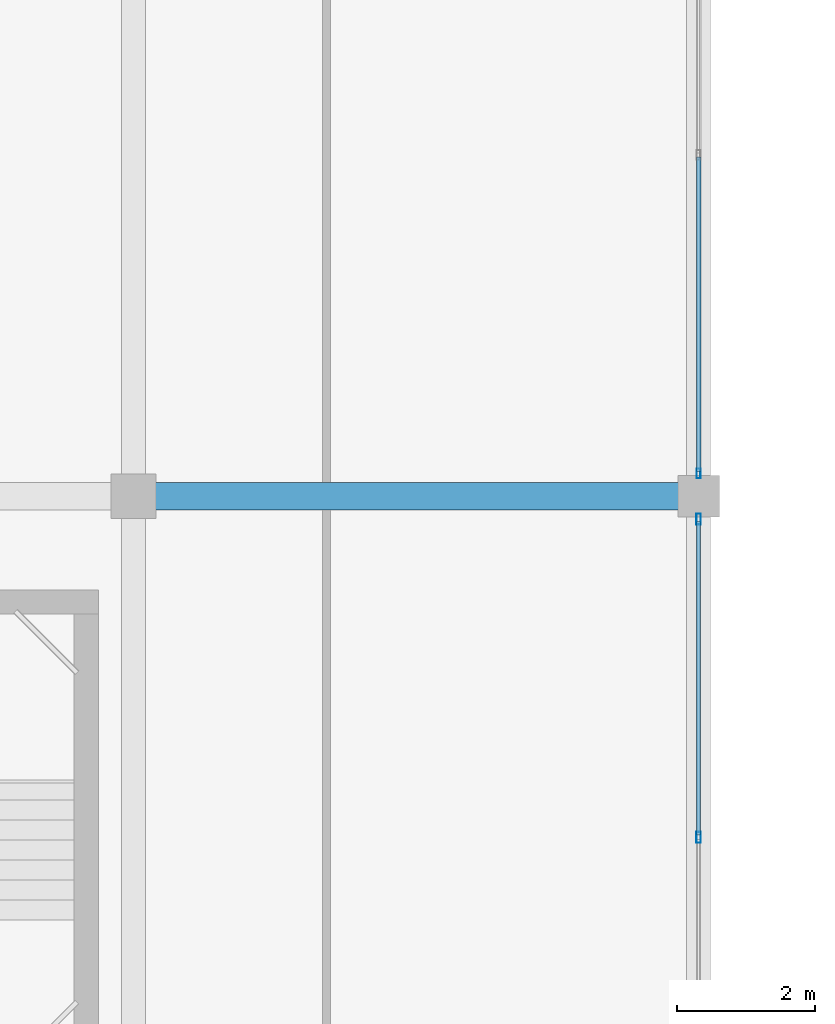
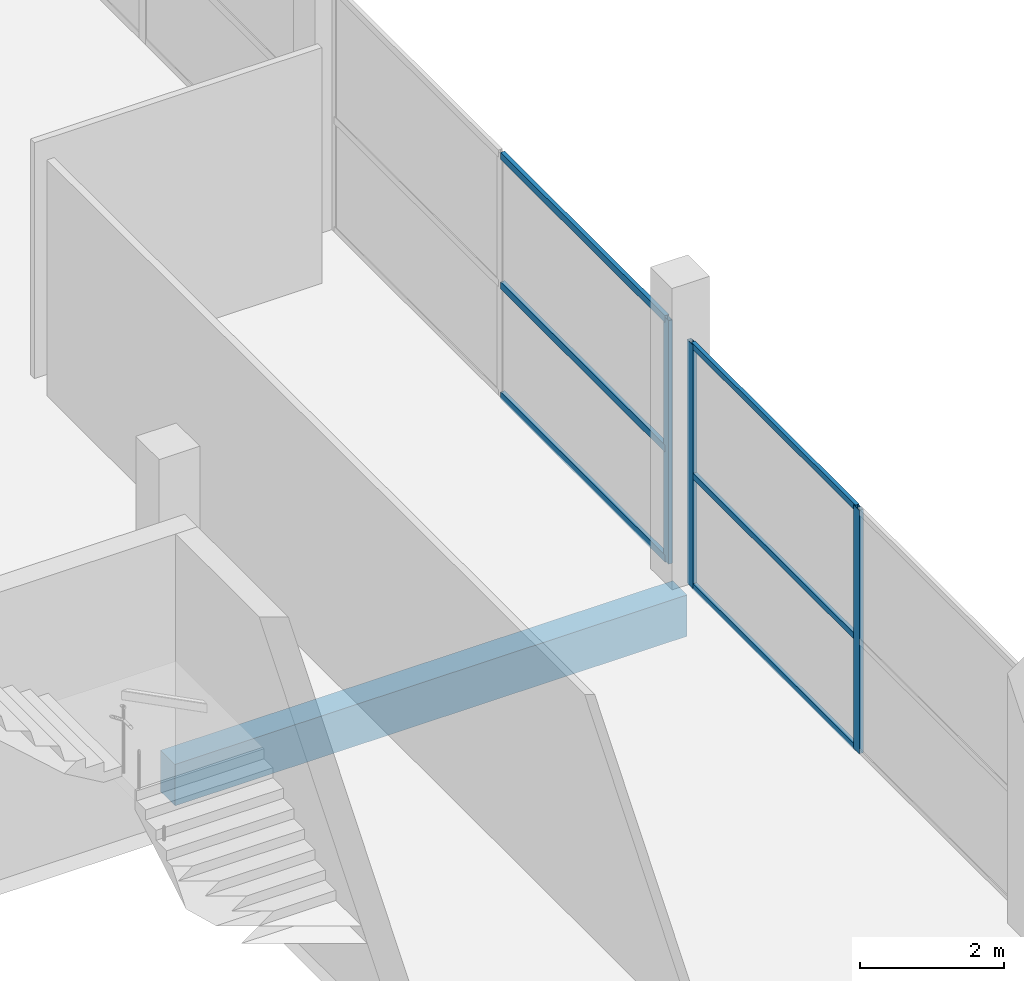
# One storey, part 33 of 66: 9 members, 1 beam, 2 elements without a shape of their own.
"""IFC4 building model written with IfcOpenShell, lengths in metres."""

from ifc_helpers import new_model, si_unit, direction, frame, origin, origin_2d, place, context, subcontext, project, spatial, rectangle, hollow_rectangle, extrude, material, layer, layer_set, material_profile, profile_set, type_object, element, aggregate, save


model = new_model("IFC4")

# Units and contexts
model_context = context("Model", 3, precision=1e-05, world=origin(), true_north=direction((0.0, 1.0)))
body_context = subcontext(model_context, "Body", "Model", "MODEL_VIEW")
ifc_project = project(units=[si_unit("LENGTHUNIT", "METRE"), si_unit("AREAUNIT", "SQUARE_METRE"), si_unit("VOLUMEUNIT", "CUBIC_METRE"), si_unit("PLANEANGLEUNIT", "RADIAN"), si_unit("MASSUNIT", "GRAM", prefix="KILO")], contexts=[model_context])

# Site, building, storey
site_placement = place(None, origin())
site = spatial("IfcSite", under=ifc_project, at=site_placement, CompositionType="ELEMENT")
building_placement = place(site_placement, origin())
building = spatial("IfcBuilding", under=site, at=building_placement, Name="Sillaruma Civic Art Gallery", CompositionType="ELEMENT")
storey_placement = place(building_placement, frame((0.0, 0.0, 57.1201171875)))
storey = spatial("IfcBuildingStorey", under=building, at=storey_placement, Name="L11", CompositionType="ELEMENT", Elevation=57.1201171875)

# Beam
ifc_material_1 = material(Name="Concrete H35 (35 MPa)", Category="concrete")
ifc_material_profile_1 = material_profile(ifc_material_1, rectangle(XDim=0.39990234375, YDim=0.699951171875, at=origin_2d()), Name="RCB400x700")
ifc_profile_set_1 = profile_set([ifc_material_profile_1], Name="Concrete H35 (35 MPa)")
beam_type = type_object("IfcBeamType", Name="BM-BEAM-RCB400x700", PredefinedType="BEAM", material=ifc_profile_set_1)
beam_placement = place(storey_placement, frame((106.199951171875, 59.39990234375, -0.60009765625), z_axis=(1.0, 0.0, 0.0), x_axis=(0.0, 1.0, 0.0)))
element("IfcBeam", 1, at=beam_placement, inside=storey, type_object=beam_type, Name="Beam BM-04 (L10:7:M-N)", PredefinedType="BEAM", context=body_context, shape_type="SweptSolid", body=[
    extrude(rectangle(XDim=0.39990234375, YDim=0.699951171875, at=origin_2d()), origin(), (0.0, 0.0, 1.0), 8.199951171875),
])

# Curtain wall, member
ifc_material_2 = material(Name="Thermally Broken Extruded Aluminium 6063-T6", Category="aluminium")
ifc_layer_1 = layer(ifc_material_2, 0.139892578125, Name="Thermally Broken Extruded Aluminium 6063-T6")
ifc_layer_set_1 = layer_set([ifc_layer_1], Name="Thermally Broken Extruded Aluminium 6063-T6")
curtain_wall_type_1 = type_object("IfcCurtainWallType", Name="CW-UNI-82", PredefinedType="NOTDEFINED", material=ifc_layer_set_1)
curtain_wall_1_placement = place(storey_placement, origin())
curtain_wall_1 = element("IfcCurtainWall", 2, at=curtain_wall_1_placement, inside=storey, type_object=curtain_wall_type_1, Name="Unitised Curtain Wall CW-82 (CW-L11-EBE-5)", PredefinedType="NOTDEFINED")
ifc_material_profile_2 = material_profile(ifc_material_2, hollow_rectangle(XDim=0.06005859375, YDim=0.139892578125, WallThickness=0.00341796875, at=origin_2d()), Name="CWM60x140")
ifc_profile_set_2 = profile_set([ifc_material_profile_2], Name="Thermally Broken Extruded Aluminium 6063-T6")
member_type_1 = type_object("IfcMemberType", Name="MEM-MUL-CWM60x140", PredefinedType="MULLION", material=ifc_profile_set_2)
member_1_placement = place(storey_placement, frame((114.39990234375, 59.72998046875, 0.0), z_axis=(0.0, 0.0, 1.0), x_axis=(-1.0, 0.0, 0.0)))
member_1 = element("IfcMember", 3, at=member_1_placement, type_object=member_type_1, Name="CW-82 mullion 1", PredefinedType="MULLION", context=body_context, shape_type="SweptSolid", body=[
    extrude(hollow_rectangle(XDim=0.06005859375, YDim=0.139892578125, WallThickness=0.00341796875, at=origin_2d()), origin(), (0.0, 0.0, 1.0), 4.119873046875),
])

# Curtain wall, members
ifc_layer_2 = layer(ifc_material_2, 0.159912109375, Name="Thermally Broken Extruded Aluminium 6063-T6")
ifc_layer_set_2 = layer_set([ifc_layer_2], Name="Thermally Broken Extruded Aluminium 6063-T6")
curtain_wall_type_2 = type_object("IfcCurtainWallType", Name="CW-UNI-81", PredefinedType="NOTDEFINED", material=ifc_layer_set_2)
curtain_wall_2_placement = place(storey_placement, origin())
curtain_wall_2 = element("IfcCurtainWall", 4, at=curtain_wall_2_placement, inside=storey, type_object=curtain_wall_type_2, Name="Unitised Curtain Wall CW-81 (CW-L11-EBE-4)", PredefinedType="NOTDEFINED")
ifc_material_profile_3 = material_profile(ifc_material_2, hollow_rectangle(XDim=0.06494140625, YDim=0.159912109375, WallThickness=0.00390625, at=origin_2d()), Name="CWM65x160")
ifc_profile_set_3 = profile_set([ifc_material_profile_3], Name="Thermally Broken Extruded Aluminium 6063-T6")
member_type_2 = type_object("IfcMemberType", Name="MEM-MUL-CWM65x160", PredefinedType="MULLION", material=ifc_profile_set_3)
member_2_placement = place(storey_placement, frame((114.39990234375, 54.449951171875, 0.0), z_axis=(0.0, 0.0, 1.0), x_axis=(-1.0, 0.0, 0.0)))
member_2 = element("IfcMember", 5, at=member_2_placement, type_object=member_type_2, Name="CW-81 mullion 2", PredefinedType="MULLION", context=body_context, shape_type="SweptSolid", body=[
    extrude(hollow_rectangle(XDim=0.06494140625, YDim=0.159912109375, WallThickness=0.00390625, at=origin_2d()), origin(), (0.0, 0.0, 1.0), 4.119873046875),
])
member_3_placement = place(storey_placement, frame((114.39990234375, 59.0673828125, 0.0), z_axis=(0.0, 0.0, 1.0), x_axis=(-1.0, 0.0, 0.0)))
member_3 = element("IfcMember", 6, at=member_3_placement, type_object=member_type_2, Name="CW-81 mullion 3", PredefinedType="MULLION", context=body_context, shape_type="SweptSolid", body=[
    extrude(hollow_rectangle(XDim=0.06494140625, YDim=0.159912109375, WallThickness=0.00390625, at=origin_2d()), origin(), (0.0, 0.0, 1.0), 4.119873046875),
])
ifc_material_profile_4 = material_profile(ifc_material_2, hollow_rectangle(XDim=0.06005859375, YDim=0.10009765625, WallThickness=0.003173828125, at=origin_2d()), Name="CWT60x100")
ifc_profile_set_4 = profile_set([ifc_material_profile_4], Name="Thermally Broken Extruded Aluminium 6063-T6")
member_type_3 = type_object("IfcMemberType", Name="MEM-TRN-CWT60x100", PredefinedType="USERDEFINED", material=ifc_profile_set_4)
member_4_placement = place(storey_placement, frame((114.39990234375, 54.482421875, 0.02978515625), z_axis=(0.0, 1.0, 0.0), x_axis=(-1.0, 0.0, 0.0)))
member_4 = element("IfcMember", 7, at=member_4_placement, type_object=member_type_3, Name="CW-81 transom 2.1", ObjectType="TRANSOM", PredefinedType="USERDEFINED", context=body_context, shape_type="SweptSolid", body=[
    extrude(hollow_rectangle(XDim=0.06005859375, YDim=0.10009765625, WallThickness=0.003173828125, at=origin_2d()), origin(), (0.0, 0.0, 1.0), 4.552490234375),
])
member_5_placement = place(storey_placement, frame((114.39990234375, 54.482421875, 1.89501953125), z_axis=(0.0, 1.0, 0.0), x_axis=(-1.0, 0.0, 0.0)))
member_5 = element("IfcMember", 8, at=member_5_placement, type_object=member_type_3, Name="CW-81 transom 2.2", ObjectType="TRANSOM", PredefinedType="USERDEFINED", context=body_context, shape_type="SweptSolid", body=[
    extrude(hollow_rectangle(XDim=0.06005859375, YDim=0.10009765625, WallThickness=0.003173828125, at=origin_2d()), origin(), (0.0, 0.0, 1.0), 4.552490234375),
])
member_6_placement = place(storey_placement, frame((114.39990234375, 54.482421875, 4.08984375), z_axis=(0.0, 1.0, 0.0), x_axis=(-1.0, 0.0, 0.0)))
member_6 = element("IfcMember", 9, at=member_6_placement, type_object=member_type_3, Name="CW-81 transom 2.3", ObjectType="TRANSOM", PredefinedType="USERDEFINED", context=body_context, shape_type="SweptSolid", body=[
    extrude(hollow_rectangle(XDim=0.06005859375, YDim=0.10009765625, WallThickness=0.003173828125, at=origin_2d()), origin(), (0.0, 0.0, 1.0), 4.552490234375),
])
aggregate(curtain_wall_2, [member_2, member_3, member_4, member_5, member_6])

# Member
ifc_material_profile_5 = material_profile(ifc_material_2, hollow_rectangle(XDim=0.06494140625, YDim=0.1201171875, WallThickness=0.00341796875, at=origin_2d()), Name="CWT65x120")
ifc_profile_set_5 = profile_set([ifc_material_profile_5], Name="Thermally Broken Extruded Aluminium 6063-T6")
member_type_4 = type_object("IfcMemberType", Name="MEM-TRN-CWT65x120", PredefinedType="USERDEFINED", material=ifc_profile_set_5)
member_7_placement = place(storey_placement, frame((114.39990234375, 59.760009765625, 0.032470703125), z_axis=(0.0, 1.0, 0.0), x_axis=(-1.0, 0.0, 0.0)))
member_7 = element("IfcMember", 10, at=member_7_placement, type_object=member_type_4, Name="CW-82 transom 1.1", ObjectType="TRANSOM", PredefinedType="USERDEFINED", context=body_context, shape_type="SweptSolid", body=[
    extrude(hollow_rectangle(XDim=0.06494140625, YDim=0.1201171875, WallThickness=0.00341796875, at=origin_2d()), origin(), (0.0, 0.0, 1.0), 4.56005859375),
])

member_8_placement = place(storey_placement, frame((114.39990234375, 59.760009765625, 1.89501953125), z_axis=(0.0, 1.0, 0.0), x_axis=(-1.0, 0.0, 0.0)))
member_8 = element("IfcMember", 11, at=member_8_placement, type_object=member_type_4, Name="CW-82 transom 1.2", ObjectType="TRANSOM", PredefinedType="USERDEFINED", context=body_context, shape_type="SweptSolid", body=[
    extrude(hollow_rectangle(XDim=0.06494140625, YDim=0.1201171875, WallThickness=0.00341796875, at=origin_2d()), origin(), (0.0, 0.0, 1.0), 4.56005859375),
])

member_9_placement = place(storey_placement, frame((114.39990234375, 59.760009765625, 4.08740234375), z_axis=(0.0, 1.0, 0.0), x_axis=(-1.0, 0.0, 0.0)))
member_9 = element("IfcMember", 12, at=member_9_placement, type_object=member_type_4, Name="CW-82 transom 1.3", ObjectType="TRANSOM", PredefinedType="USERDEFINED", context=body_context, shape_type="SweptSolid", body=[
    extrude(hollow_rectangle(XDim=0.06494140625, YDim=0.1201171875, WallThickness=0.00341796875, at=origin_2d()), origin(), (0.0, 0.0, 1.0), 4.56005859375),
])

aggregate(curtain_wall_1, [member_1, member_7, member_8, member_9])

save(model, "model.ifc")
